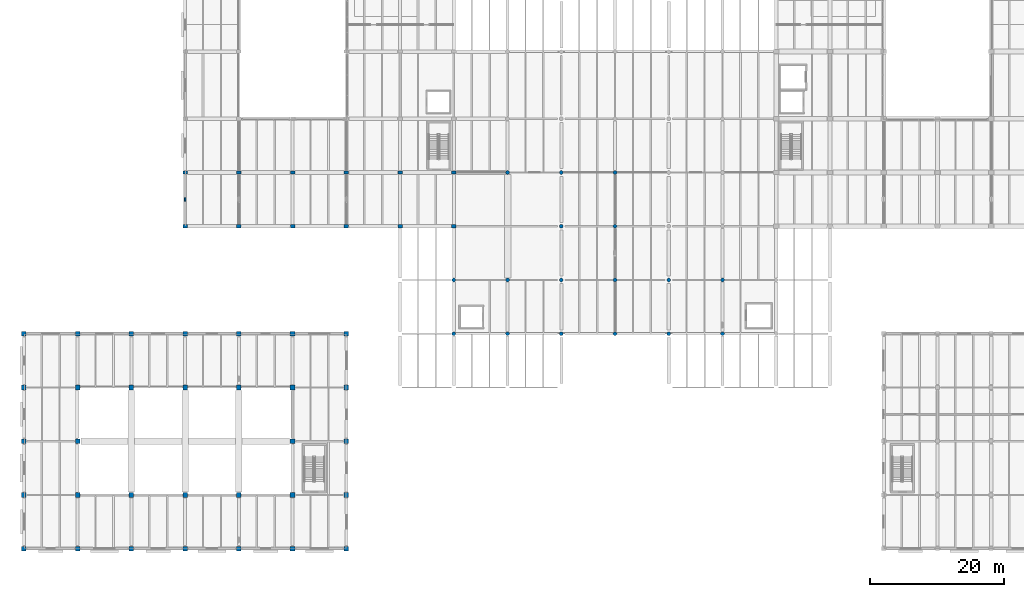
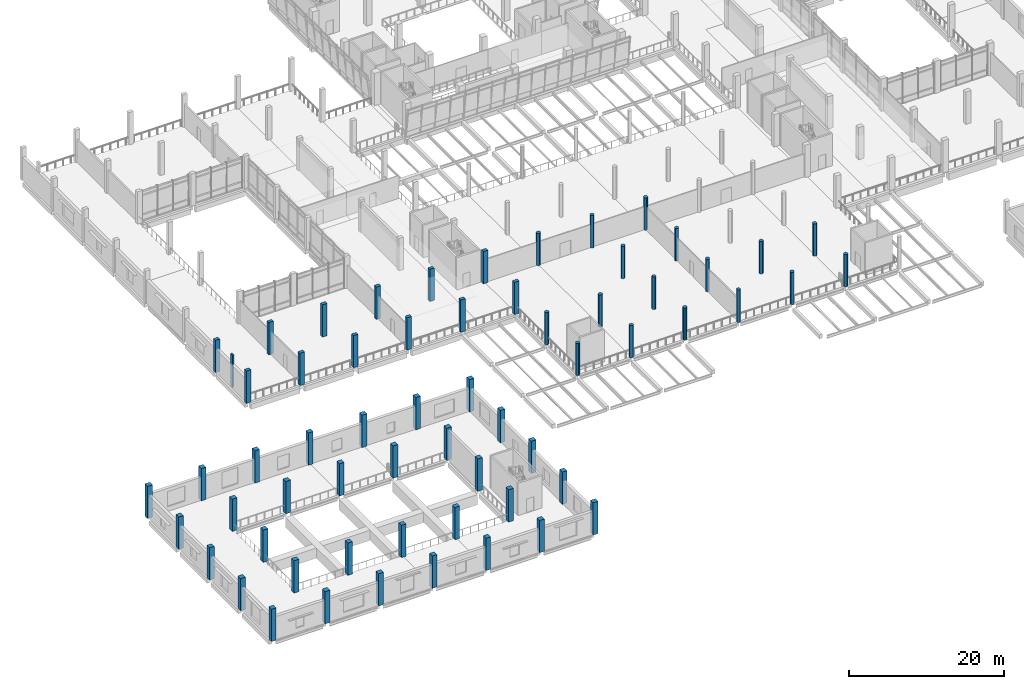
# One storey, part 1 of 61: 62 columns.
"""IFC4 building model written with IfcOpenShell, lengths in metres."""

from ifc_helpers import new_model, si_unit, direction, frame, origin, origin_2d, place, context, subcontext, project, spatial, rectangle, circle, extrude, material, material_profile, profile_set, type_object, element, save


model = new_model("IFC4")

# Units and contexts
model_context = context("Model", 3, precision=1e-05, world=origin(), true_north=direction((0.0, 1.0)))
body_context = subcontext(model_context, "Body", "Model", "MODEL_VIEW")
ifc_project = project(units=[si_unit("LENGTHUNIT", "METRE"), si_unit("AREAUNIT", "SQUARE_METRE"), si_unit("VOLUMEUNIT", "CUBIC_METRE"), si_unit("PLANEANGLEUNIT", "RADIAN"), si_unit("MASSUNIT", "GRAM", prefix="KILO")], contexts=[model_context])

# Site, building, storey
site_placement = place(None, origin())
site = spatial("IfcSite", under=ifc_project, at=site_placement, CompositionType="ELEMENT")
building_placement = place(site_placement, origin())
building = spatial("IfcBuilding", under=site, at=building_placement, Name="Pecanmere Concourse Central Library", CompositionType="ELEMENT")
storey_placement = place(building_placement, frame((0.0, 0.0, 5.39990234375)))
storey = spatial("IfcBuildingStorey", under=building, at=storey_placement, Name="L02", CompositionType="ELEMENT", Elevation=5.39990234375)

# Columns
ifc_material_1 = material(Name="Concrete C40/50", Category="concrete")
ifc_material_profile_1 = material_profile(ifc_material_1, circle(Radius=0.280029296875, at=origin_2d()), Name="RC D560")
ifc_profile_set_1 = profile_set([ifc_material_profile_1], Name="Concrete C40/50")
column_type_1 = type_object("IfcColumnType", Name="COL_CIRC_560", PredefinedType="COLUMN", material=ifc_profile_set_1)
for number, where, z_axis, x_axis, name in (
    (1, (64.0, 32.0, 0.0), (0.0, 0.0, 1.0), (1.0, 0.0, 0.0), "Column CC-08 L02-071"),
    (2, (64.0, 40.0, 0.0), (0.0, 0.0, 1.0), (1.0, 0.0, 0.0), "Column CC-08 L02-072"),
    (3, (72.0, 32.0, 0.0), (0.0, 0.0, 1.0), (1.0, 0.0, 0.0), "Column CC-08 L02-081"),
    (4, (72.0, 40.0, 0.0), (0.0, 0.0, 1.0), (1.0, 0.0, 0.0), "Column CC-08 L02-082"),
    (5, (72.0, 56.0, 0.0), (0.0, 0.0, 1.0), (1.0, 0.0, 0.0), "Column CC-08 L02-083"),
    (6, (80.0, 32.0, 0.0), (0.0, 0.0, 1.0), (1.0, 0.0, 0.0), "Column CC-08 L02-091"),
    (7, (80.0, 40.0, 0.0), (0.0, 0.0, 1.0), (1.0, 0.0, 0.0), "Column CC-08 L02-092"),
    (8, (80.0, 48.0, 0.0), (0.0, 0.0, 1.0), (1.0, 0.0, 0.0), "Column CC-08 L02-093"),
    (9, (80.0, 56.0, 0.0), (0.0, 0.0, 1.0), (1.0, 0.0, 0.0), "Column CC-08 L02-094"),
    (10, (88.0, 32.0, 0.0), (0.0, 0.0, 1.0), (1.0, 0.0, 0.0), "Column CC-08 L02-102"),
    (11, (88.0, 40.0, 0.0), (0.0, 0.0, 1.0), (1.0, 0.0, 0.0), "Column CC-08 L02-103"),
    (12, (88.0, 48.0, 0.0), (0.0, 0.0, 1.0), (1.0, 0.0, 0.0), "Column CC-08 L02-104"),
    (13, (88.0, 56.0, 0.0), (0.0, 0.0, 1.0), (1.0, 0.0, 0.0), "Column CC-08 L02-105"),
    (14, (96.0, 32.0, 0.0), (0.0, 0.0, 1.0), (1.0, 0.0, 0.0), "Column CC-08 L02-112"),
    (15, (96.0, 40.0, 0.0), (0.0, 0.0, 1.0), (1.0, 0.0, 0.0), "Column CC-08 L02-113"),
    (16, (104.0, 32.0, 0.0), (0.0, 0.0, 1.0), (1.0, 0.0, 0.0), "Column CC-08 L02-123"),
    (17, (104.0, 40.0, 0.0), (0.0, 0.0, 1.0), (1.0, 0.0, 0.0), "Column CC-08 L02-124"),
):
    element("IfcColumn", number, at=place(storey_placement, frame(where, z_axis=z_axis, x_axis=x_axis)), inside=storey, type_object=column_type_1, Name=name, PredefinedType="COLUMN", context=body_context, shape_type="SweptSolid", body=[
        extrude(circle(Radius=0.280029296875, at=origin_2d()), origin(), (0.0, 0.0, 1.0), 5.10009765625),
    ])
ifc_material_2 = material(Name="Concrete C40/50", Category="concrete")
ifc_material_profile_2 = material_profile(ifc_material_2, rectangle(XDim=0.679931640625, YDim=0.47998046875, at=origin_2d()), Name="RC 680x480")
ifc_profile_set_2 = profile_set([ifc_material_profile_2], Name="Concrete C40/50")
column_type_2 = type_object("IfcColumnType", Name="COL_RC_680x480", PredefinedType="COLUMN", material=ifc_profile_set_2)
for number, where, z_axis, x_axis, name in (
    (18, (24.0, 48.0, 0.0), (0.0, 0.0, 1.0), (1.0, 0.0, 0.0), "Column C-17 L02-019"),
    (19, (24.0, 56.0, 0.0), (0.0, 0.0, 1.0), (1.0, 0.0, 0.0), "Column C-17 L02-020"),
    (20, (32.0, 48.0, 0.0), (0.0, 0.0, 1.0), (1.0, 0.0, 0.0), "Column C-17 L02-031"),
    (21, (32.0, 56.0, 0.0), (0.0, 0.0, 1.0), (1.0, 0.0, 0.0), "Column C-17 L02-032"),
    (22, (40.0, 48.0, 0.0), (0.0, 0.0, 1.0), (1.0, 0.0, 0.0), "Column C-17 L02-044"),
    (23, (40.0, 56.0, 0.0), (0.0, 0.0, 1.0), (1.0, 0.0, 0.0), "Column C-17 L02-045"),
    (24, (48.0, 48.0, 0.0), (0.0, 0.0, 1.0), (1.0, 0.0, 0.0), "Column C-17 L02-055"),
    (25, (48.0, 56.0, 0.0), (0.0, 0.0, 1.0), (1.0, 0.0, 0.0), "Column C-17 L02-056"),
    (26, (56.0, 48.0, 0.0), (0.0, 0.0, 1.0), (1.0, 0.0, 0.0), "Column C-17 L02-063"),
    (27, (56.0, 56.0, 0.0), (0.0, 0.0, 1.0), (1.0, 0.0, 0.0), "Column C-17 L02-064"),
    (28, (64.0, 48.0, 0.0), (0.0, 0.0, 1.0), (1.0, 0.0, 0.0), "Column C-17 L02-073"),
    (29, (64.0, 56.0, 0.0), (0.0, 0.0, 1.0), (1.0, 0.0, 0.0), "Column C-17 L02-074"),
):
    element("IfcColumn", number, at=place(storey_placement, frame(where, z_axis=z_axis, x_axis=x_axis)), inside=storey, type_object=column_type_2, Name=name, PredefinedType="COLUMN", context=body_context, shape_type="SweptSolid", body=[
        extrude(rectangle(XDim=0.679931640625, YDim=0.47998046875, at=origin_2d()), origin(), (0.0, 0.0, 1.0), 5.10009765625),
    ])
ifc_material_3 = material(Name="Concrete C40/50", Category="concrete")
ifc_material_profile_3 = material_profile(ifc_material_3, rectangle(XDim=0.699951171875, YDim=0.699951171875, at=origin_2d()), Name="RC 700x700")
ifc_profile_set_3 = profile_set([ifc_material_profile_3], Name="Concrete C40/50")
column_type_3 = type_object("IfcColumnType", Name="COL_RC_700x700", PredefinedType="COLUMN", material=ifc_profile_set_3)
for number, where, z_axis, x_axis, name in (
    (30, (0.0, 0.0, 0.0), (0.0, 0.0, 1.0), (1.0, 0.0, 0.0), "Column C-06 L02-001"),
    (31, (0.0, 8.0, 0.0), (0.0, 0.0, 1.0), (1.0, 0.0, 0.0), "Column C-06 L02-002"),
    (32, (0.0, 16.0, 0.0), (0.0, 0.0, 1.0), (1.0, 0.0, 0.0), "Column C-06 L02-003"),
    (33, (0.0, 24.0, 0.0), (0.0, 0.0, 1.0), (1.0, 0.0, 0.0), "Column C-06 L02-004"),
    (34, (0.0, 32.0, 0.0), (0.0, 0.0, 1.0), (1.0, 0.0, 0.0), "Column C-06 L02-005"),
    (35, (8.0, 0.0, 0.0), (0.0, 0.0, 1.0), (1.0, 0.0, 0.0), "Column C-06 L02-006"),
    (36, (8.0, 8.0, 0.0), (0.0, 0.0, 1.0), (1.0, 0.0, 0.0), "Column C-06 L02-007"),
    (37, (8.0, 16.0, 0.0), (0.0, 0.0, 1.0), (1.0, 0.0, 0.0), "Column C-06 L02-008"),
    (38, (8.0, 24.0, 0.0), (0.0, 0.0, 1.0), (1.0, 0.0, 0.0), "Column C-06 L02-009"),
    (39, (8.0, 32.0, 0.0), (0.0, 0.0, 1.0), (1.0, 0.0, 0.0), "Column C-06 L02-010"),
    (40, (16.0, 0.0, 0.0), (0.0, 0.0, 1.0), (1.0, 0.0, 0.0), "Column C-06 L02-011"),
    (41, (16.0, 8.0, 0.0), (0.0, 0.0, 1.0), (1.0, 0.0, 0.0), "Column C-06 L02-012"),
    (42, (16.0, 24.0, 0.0), (0.0, 0.0, 1.0), (1.0, 0.0, 0.0), "Column C-06 L02-013"),
    (43, (16.0, 32.0, 0.0), (0.0, 0.0, 1.0), (1.0, 0.0, 0.0), "Column C-06 L02-014"),
    (44, (24.0, 0.0, 0.0), (0.0, 0.0, 1.0), (1.0, 0.0, 0.0), "Column C-06 L02-015"),
    (45, (24.0, 8.0, 0.0), (0.0, 0.0, 1.0), (1.0, 0.0, 0.0), "Column C-06 L02-016"),
    (46, (24.0, 24.0, 0.0), (0.0, 0.0, 1.0), (1.0, 0.0, 0.0), "Column C-06 L02-017"),
    (47, (24.0, 32.0, 0.0), (0.0, 0.0, 1.0), (1.0, 0.0, 0.0), "Column C-06 L02-018"),
    (48, (32.0, 0.0, 0.0), (0.0, 0.0, 1.0), (1.0, 0.0, 0.0), "Column C-06 L02-027"),
    (49, (32.0, 8.0, 0.0), (0.0, 0.0, 1.0), (1.0, 0.0, 0.0), "Column C-06 L02-028"),
    (50, (32.0, 24.0, 0.0), (0.0, 0.0, 1.0), (1.0, 0.0, 0.0), "Column C-06 L02-029"),
    (51, (32.0, 32.0, 0.0), (0.0, 0.0, 1.0), (1.0, 0.0, 0.0), "Column C-06 L02-030"),
    (52, (40.0, 0.0, 0.0), (0.0, 0.0, 1.0), (1.0, 0.0, 0.0), "Column C-06 L02-039"),
    (53, (40.0, 8.0, 0.0), (0.0, 0.0, 1.0), (1.0, 0.0, 0.0), "Column C-06 L02-040"),
    (54, (40.0, 16.0, 0.0), (0.0, 0.0, 1.0), (1.0, 0.0, 0.0), "Column C-06 L02-041"),
    (55, (40.0, 24.0, 0.0), (0.0, 0.0, 1.0), (1.0, 0.0, 0.0), "Column C-06 L02-042"),
    (56, (40.0, 32.0, 0.0), (0.0, 0.0, 1.0), (1.0, 0.0, 0.0), "Column C-06 L02-043"),
    (57, (48.0, 0.0, 0.0), (0.0, 0.0, 1.0), (1.0, 0.0, 0.0), "Column C-06 L02-050"),
    (58, (48.0, 8.0, 0.0), (0.0, 0.0, 1.0), (1.0, 0.0, 0.0), "Column C-06 L02-051"),
    (59, (48.0, 16.0, 0.0), (0.0, 0.0, 1.0), (1.0, 0.0, 0.0), "Column C-06 L02-052"),
    (60, (48.0, 24.0, 0.0), (0.0, 0.0, 1.0), (1.0, 0.0, 0.0), "Column C-06 L02-053"),
    (61, (48.0, 32.0, 0.0), (0.0, 0.0, 1.0), (1.0, 0.0, 0.0), "Column C-06 L02-054"),
):
    element("IfcColumn", number, at=place(storey_placement, frame(where, z_axis=z_axis, x_axis=x_axis)), inside=storey, type_object=column_type_3, Name=name, PredefinedType="COLUMN", context=body_context, shape_type="SweptSolid", body=[
        extrude(rectangle(XDim=0.699951171875, YDim=0.699951171875, at=origin_2d()), origin(), (0.0, 0.0, 1.0), 5.10009765625),
    ])
ifc_material_4 = material(Name="Precast concrete C40/50", Category="concrete")
ifc_material_profile_4 = material_profile(ifc_material_4, rectangle(XDim=0.5, YDim=0.25, at=origin_2d()), Name="RC 500x250")
ifc_profile_set_4 = profile_set([ifc_material_profile_4], Name="Precast concrete C40/50")
column_type_4 = type_object("IfcColumnType", Name="PIL_500x250", PredefinedType="PILASTER", material=ifc_profile_set_4)
column_placement = place(storey_placement, frame((24.0, 52.0, 0.0), z_axis=(0.0, 0.0, 1.0), x_axis=(0.0, 1.0, 0.0)))
element("IfcColumn", 62, at=column_placement, inside=storey, type_object=column_type_4, Name="Classical Limestone Pilaster L02-01", PredefinedType="PILASTER", context=body_context, shape_type="SweptSolid", body=[
    extrude(rectangle(XDim=0.5, YDim=0.25, at=origin_2d()), origin(), (0.0, 0.0, 1.0), 5.10009765625),
])

save(model, "model.ifc")
